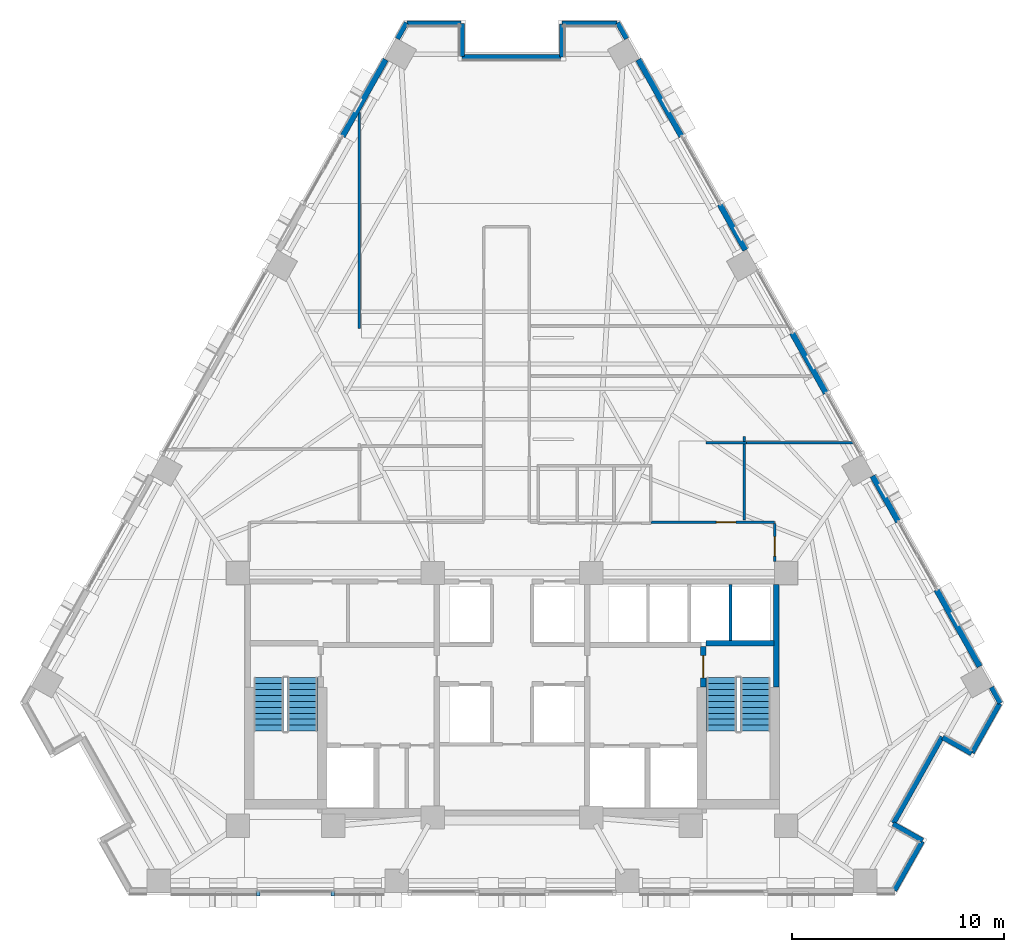
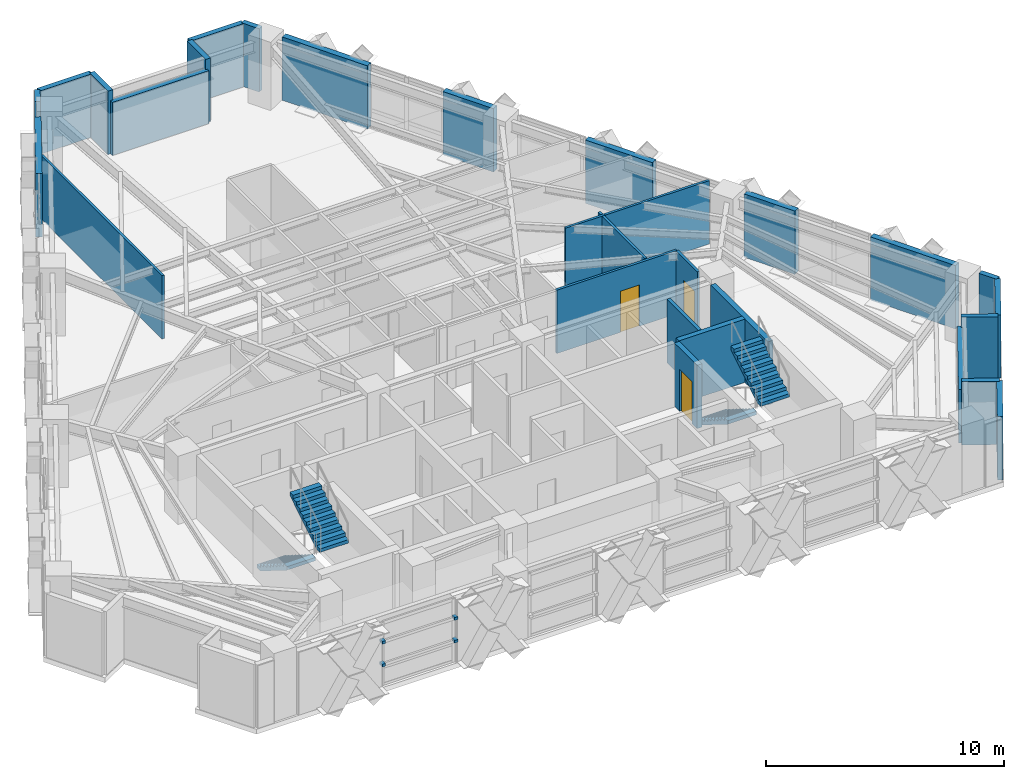
# One storey, part 9 of 14: 30 walls, 4 discrete accessories, 4 stair flights, 3 doors, 3 openings, 2 elements without a shape of their own.
"""IFC4 building model written with IfcOpenShell, lengths in metres."""

from ifc_helpers import new_model, si_unit, direction, frame, frame_2d, origin, origin_2d, place, context, subcontext, project, spatial, polyline, rectangle, outline, extrude, material, layer, layer_set, type_object, element, fill, aggregate, save


model = new_model("IFC4")

# Units and contexts
model_context = context("Model", 3, precision=1e-05, world=origin(), true_north=direction((0.0, 1.0)))
body_context = subcontext(model_context, "Body", "Model", "MODEL_VIEW")
ifc_project = project(units=[si_unit("LENGTHUNIT", "METRE"), si_unit("AREAUNIT", "SQUARE_METRE"), si_unit("VOLUMEUNIT", "CUBIC_METRE"), si_unit("PLANEANGLEUNIT", "RADIAN"), si_unit("MASSUNIT", "GRAM", prefix="KILO")], contexts=[model_context])

# Site, building, storey
site_placement = place(None, origin())
site = spatial("IfcSite", under=ifc_project, at=site_placement, CompositionType="ELEMENT")
building_placement = place(site_placement, origin())
building = spatial("IfcBuilding", under=site, at=building_placement, Name="Quenlor Broadcast Tower", CompositionType="ELEMENT")
storey_placement = place(building_placement, frame((0.0, 0.0, 102.0)))
storey = spatial("IfcBuildingStorey", under=building, at=storey_placement, Name="L27", CompositionType="ELEMENT", Elevation=102.0)

# Wall, opening, door
ifc_material_1 = material(Name="Concrete C40/50", Category="concrete")
ifc_layer_1 = layer(ifc_material_1, 0.25)
ifc_layer_set_1 = layer_set([ifc_layer_1], Name="Fire Rated Concrete C40/50 Core Wall 250")
wall_type_1 = type_object("IfcWallType", Name="Fire Rated Concrete C40/50 Core Wall 250", PredefinedType="PARTITIONING", material=ifc_layer_set_1)
wall_1_placement = place(storey_placement, frame((9.0400390625, -10.179931640625, 0.0), z_axis=(0.0, 0.0, 1.0), x_axis=(0.0, 1.0, 0.0)))
wall_1 = element("IfcWall", 1, at=wall_1_placement, inside=storey, type_object=wall_type_1, Name="L27 Interior Wall CW-ST2-DR", PredefinedType="PARTITIONING", context=body_context, shape_type="SweptSolid", body=[
    extrude(rectangle(XDim=1.89990234375, YDim=0.25, at=frame_2d((0.949951171875, 0.0))), origin(), (0.0, 0.0, 1.0), 3.25),
])
opening_1_placement = place(wall_1_placement, frame((0.419921875, 0.0, 0.0)))
opening_1 = element("IfcOpeningElement", 2, at=opening_1_placement, cuts=wall_1, Name="Opening FD-1", PredefinedType="OPENING", context=body_context, shape_type="SweptSolid", body=[
    extrude(rectangle(XDim=1.050048828125, YDim=2.14990234375, at=frame_2d((0.52490234375, 1.074951171875))), frame((0.0, 0.135009765625, 0.0), z_axis=(0.0, -1.0, 0.0), x_axis=(1.0, 0.0, 0.0)), (0.0, 0.0, 1.0), 0.27001953125),
])
ifc_material_2 = material(Name="Fire Rated Steel Door Leaf", Category="steel")
door_type_1 = type_object("IfcDoorType", Name="Fire Isolated Stair Door 1050x2150", OperationType="NOTDEFINED", PredefinedType="DOOR", material=ifc_material_2)
door_1_placement = place(opening_1_placement, origin())
door_1 = element("IfcDoor", 3, at=door_1_placement, inside=storey, type_object=door_type_1, Name="L27 Door DR-ST2", OperationType="SINGLE_SWING_RIGHT", OverallHeight=2.14990234375, OverallWidth=1.050048828125, PredefinedType="DOOR", context=body_context, shape_type="SweptSolid", body=[
    extrude(rectangle(XDim=1.050048828125, YDim=2.14990234375, at=frame_2d((0.52490234375, 1.074951171875))), frame((0.0, 0.02490234375, 0.0), z_axis=(0.0, -1.0, 0.0), x_axis=(1.0, 0.0, 0.0)), (0.0, 0.0, 1.0), 0.050048828125),
])
fill(opening_1, door_1)

# Walls
wall_2_placement = place(storey_placement, frame((9.159912109375, -8.1201171875, 0.0), z_axis=(0.0, 0.0, 1.0), x_axis=(1.0, 0.0, 0.0)))
element("IfcWall", 4, at=wall_2_placement, inside=storey, type_object=wall_type_1, Name="L27 Interior Wall CW-ST2-N", PredefinedType="PARTITIONING", context=body_context, shape_type="SweptSolid", body=[
    extrude(rectangle(XDim=3.219970703125, YDim=0.25, at=frame_2d((1.60986328125, 0.0))), origin(), (0.0, 0.0, 1.0), 3.25),
])
wall_3_placement = place(storey_placement, frame((12.47998046875, -10.179931640625, 0.0), z_axis=(0.0, 0.0, 1.0), x_axis=(0.0, 1.0, 0.0)))
element("IfcWall", 5, at=wall_3_placement, inside=storey, type_object=wall_type_1, Name="L27 Interior Wall CW-ST2-E2", PredefinedType="PARTITIONING", context=body_context, shape_type="SweptSolid", body=[
    extrude(rectangle(XDim=4.827880859375, YDim=0.25, at=frame_2d((2.4140625, 0.0))), origin(), (0.0, 0.0, 1.0), 3.25),
])
ifc_material_3 = material(Name="Gypsum Fireboard Partition", Category="other")
ifc_layer_2 = layer(ifc_material_3, 0.159912109375)
ifc_layer_set_2 = layer_set([ifc_layer_2], Name="Fire Rated Shaft and Corridor Partition 160")
wall_type_2 = type_object("IfcWallType", Name="Fire Rated Shaft and Corridor Partition 160", PredefinedType="PARTITIONING", material=ifc_layer_set_2)
wall_4_placement = place(storey_placement, frame((10.324951171875, -7.992919921875, 0.0), z_axis=(0.0, 0.0, 1.0), x_axis=(0.0, 1.0, 0.0)))
element("IfcWall", 6, at=wall_4_placement, inside=storey, type_object=wall_type_2, Name="L27 Interior Wall CW-PLH-D3", PredefinedType="PARTITIONING", context=body_context, shape_type="SweptSolid", body=[
    extrude(rectangle(XDim=2.65283203125, YDim=0.159912109375, at=frame_2d((1.326416015625, 0.0))), origin(), (0.0, 0.0, 1.0), 3.25),
])

# Wall, opening, door
ifc_material_4 = material(Name="Gypsum Plasterboard Partition", Category="other")
ifc_layer_3 = layer(ifc_material_4, 0.1201171875)
ifc_layer_set_3 = layer_set([ifc_layer_3], Name="Standard Office Partition 120")
wall_type_3 = type_object("IfcWallType", Name="Standard Office Partition 120", PredefinedType="PARTITIONING", material=ifc_layer_set_3)
wall_5_placement = place(storey_placement, frame((6.56201171875, -2.39990234375, 0.0), z_axis=(0.0, 0.0, 1.0), x_axis=(1.0, 0.0, 0.0)))
wall_5 = element("IfcWall", 7, at=wall_5_placement, inside=storey, type_object=wall_type_3, Name="L27 Interior Wall PW-CR-06S2", PredefinedType="PARTITIONING", context=body_context, shape_type="SweptSolid", body=[
    extrude(rectangle(XDim=5.847900390625, YDim=0.1201171875, at=frame_2d((2.923828125, 0.0))), origin(), (0.0, 0.0, 1.0), 3.25),
])
opening_2_placement = place(wall_5_placement, frame((3.10009765625, 0.0, 0.0)))
opening_2 = element("IfcOpeningElement", 8, at=opening_2_placement, cuts=wall_5, Name="Opening ID-1", PredefinedType="OPENING", context=body_context, shape_type="SweptSolid", body=[
    extrude(rectangle(XDim=0.919921875, YDim=2.1201171875, at=frame_2d((0.4599609375, 1.06005859375))), frame((0.0, 0.070068359375, 0.0), z_axis=(0.0, -1.0, 0.0), x_axis=(1.0, 0.0, 0.0)), (0.0, 0.0, 1.0), 0.14013671875),
])
ifc_material_5 = material(Name="Solid Core Timber Oak", Category="wood")
door_type_2 = type_object("IfcDoorType", Name="Single Leaf Timber Office Door 920x2120", OperationType="NOTDEFINED", PredefinedType="DOOR", material=ifc_material_5)
door_2_placement = place(opening_2_placement, origin())
door_2 = element("IfcDoor", 9, at=door_2_placement, inside=storey, type_object=door_type_2, Name="L27 Door DR-RM05", OperationType="SINGLE_SWING_LEFT", OverallHeight=2.1201171875, OverallWidth=0.919921875, PredefinedType="DOOR", context=body_context, shape_type="SweptSolid", body=[
    extrude(rectangle(XDim=0.919921875, YDim=2.1201171875, at=frame_2d((0.4599609375, 1.06005859375))), frame((0.0, 0.02490234375, 0.0), z_axis=(0.0, -1.0, 0.0), x_axis=(1.0, 0.0, 0.0)), (0.0, 0.0, 1.0), 0.050048828125),
])
fill(opening_2, door_2)

wall_6_placement = place(storey_placement, frame((12.409912109375, -2.4619140625, 0.0), z_axis=(0.0, 0.0, 1.0), x_axis=(0.0, -1.0, 0.0)))
wall_6 = element("IfcWall", 10, at=wall_6_placement, inside=storey, type_object=wall_type_3, Name="L27 Interior Wall PW-CR-07", PredefinedType="PARTITIONING", context=body_context, shape_type="SweptSolid", body=[
    extrude(rectangle(XDim=1.7861328125, YDim=0.1201171875, at=frame_2d((0.89306640625, 0.0))), origin(), (0.0, 0.0, 1.0), 3.25),
])
opening_3_placement = place(wall_6_placement, frame((0.623046875, 0.0, 0.0)))
opening_3 = element("IfcOpeningElement", 11, at=opening_3_placement, cuts=wall_6, Name="Opening ID-1", PredefinedType="OPENING", context=body_context, shape_type="SweptSolid", body=[
    extrude(rectangle(XDim=0.919921875, YDim=2.1201171875, at=frame_2d((0.4599609375, 1.06005859375))), frame((0.0, 0.070068359375, 0.0), z_axis=(0.0, -1.0, 0.0), x_axis=(1.0, 0.0, 0.0)), (0.0, 0.0, 1.0), 0.14013671875),
])
door_3_placement = place(opening_3_placement, origin())
door_3 = element("IfcDoor", 12, at=door_3_placement, inside=storey, type_object=door_type_2, Name="L27 Door DR-RM07", OperationType="SINGLE_SWING_LEFT", OverallHeight=2.1201171875, OverallWidth=0.919921875, PredefinedType="DOOR", context=body_context, shape_type="SweptSolid", body=[
    extrude(rectangle(XDim=0.919921875, YDim=2.1201171875, at=frame_2d((0.4599609375, 1.06005859375))), frame((0.0, 0.02490234375, 0.0), z_axis=(0.0, -1.0, 0.0), x_axis=(1.0, 0.0, 0.0)), (0.0, 0.0, 1.0), 0.050048828125),
])
fill(opening_3, door_3)

# Walls
wall_7_placement = place(storey_placement, frame((-7.219970703125, 6.75634765625, 0.0), z_axis=(0.0, 0.0, 1.0), x_axis=(0.00043083842, 0.999999907189, 0.0)))
element("IfcWall", 13, at=wall_7_placement, inside=storey, type_object=wall_type_3, Name="L27 Interior Wall PW-DV-01", PredefinedType="PARTITIONING", context=body_context, shape_type="SweptSolid", body=[
    extrude(rectangle(XDim=10.199951171875, YDim=0.1201171875, at=frame_2d((5.10009765625, 0.0))), origin(), (0.0, 0.0, 1.0), 3.25),
])
wall_8_placement = place(storey_placement, frame((11.08251953125, 1.35009765625, 0.0), z_axis=(0.0, 0.0, 1.0), x_axis=(-1.0, 0.0, 0.0)))
element("IfcWall", 14, at=wall_8_placement, inside=storey, type_object=wall_type_3, Name="L27 Interior Wall PW-DV-06", PredefinedType="PARTITIONING", context=body_context, shape_type="SweptSolid", body=[
    extrude(rectangle(XDim=1.92041015625, YDim=0.1201171875, at=frame_2d((0.960205078125, 0.0))), origin(), (0.0, 0.0, 1.0), 3.25),
])
wall_9_placement = place(storey_placement, frame((16.1455078125, 1.35009765625, 0.0), z_axis=(0.0, 0.0, 1.0), x_axis=(-1.0, 0.0, 0.0)))
element("IfcWall", 15, at=wall_9_placement, inside=storey, type_object=wall_type_3, Name="L27 Interior Wall PW-DV-07", PredefinedType="PARTITIONING", context=body_context, shape_type="SweptSolid", body=[
    extrude(rectangle(XDim=5.06103515625, YDim=0.1201171875, at=frame_2d((2.530517578125, 0.0))), origin(), (0.0, 0.0, 1.0), 3.25),
])
wall_10_placement = place(storey_placement, frame((10.982421875, 1.639892578125, 0.0), z_axis=(0.0, 0.0, 1.0), x_axis=(0.0, -1.0, 0.0)))
element("IfcWall", 16, at=wall_10_placement, inside=storey, type_object=wall_type_3, Name="L27 Interior Wall PW-DV-08", PredefinedType="PARTITIONING", context=body_context, shape_type="SweptSolid", body=[
    extrude(rectangle(XDim=0.227783203125, YDim=0.1201171875, at=frame_2d((0.11376953125, 0.0))), origin(), (0.0, 0.0, 1.0), 3.25),
])
wall_11_placement = place(storey_placement, frame((10.982421875, 1.2880859375, 0.0), z_axis=(0.0, 0.0, 1.0), x_axis=(0.0, -1.0, 0.0)))
element("IfcWall", 17, at=wall_11_placement, inside=storey, type_object=wall_type_3, Name="L27 Interior Wall PW-DV-08S2", PredefinedType="PARTITIONING", context=body_context, shape_type="SweptSolid", body=[
    extrude(rectangle(XDim=3.578125, YDim=0.1201171875, at=frame_2d((1.7890625, 0.0))), origin(), (0.0, 0.0, 1.0), 3.25),
])
ifc_material_6 = material(Name="Precast concrete C40/50", Category="concrete")
ifc_layer_4 = layer(ifc_material_6, 0.239990234375)
ifc_layer_set_4 = layer_set([ifc_layer_4], Name="Terrace Threshold Precast Concrete C40/50 Wall 240")
wall_type_4 = type_object("IfcWallType", Name="Terrace Threshold Precast Concrete C40/50 Wall 240", PredefinedType="STANDARD", material=ifc_layer_set_4)
for number, where, z_axis, x_axis, name in (
    (18, (4.992919921875, 21.197265625, 0.0), (0.0, 0.0, 1.0), (0.490355003566, -0.871522788272, 0.0), "L27 Exterior Wall L27-SHD-NES0"),
    (19, (22.65380859375, -10.199951171875, 0.0), (0.0, 0.0, 1.0), (0.490355003566, -0.871522788272, 0.0), "L27 Exterior Wall L27-SHD-NES1"),
    (20, (-5.417236328125, 20.443115234375, 0.0), (0.0, 0.0, 1.0), (0.490355003566, 0.871522788272, 0.0), "L27 Exterior Wall L27-SHD-NWS1"),
):
    element("IfcWall", number, at=place(storey_placement, frame(where, z_axis=z_axis, x_axis=x_axis)), inside=storey, type_object=wall_type_4, Name=name, PredefinedType="STANDARD", context=body_context, shape_type="SweptSolid", body=[
        extrude(rectangle(XDim=0.865234375, YDim=0.239990234375, at=frame_2d((0.4326171875, 0.0))), origin(), (0.0, 0.0, 1.0), 3.25),
    ])
wall_12_placement = place(storey_placement, frame((19.39892578125, -17.4423828125, 0.0), z_axis=(0.0, 0.0, 1.0), x_axis=(-0.871575537125, 0.490261239633, 0.0)))
element("IfcWall", 21, at=wall_12_placement, inside=storey, type_object=wall_type_4, Name="L27 Exterior Wall L27-CNR-01", PredefinedType="STANDARD", context=body_context, shape_type="SweptSolid", body=[
    extrude(rectangle(XDim=1.60009765625, YDim=0.239990234375, at=frame_2d((0.800048828125, 0.0))), origin(), (0.0, 0.0, 1.0), 3.25),
])
wall_13_placement = place(storey_placement, frame((18.024169921875, -16.623046875, 0.0), z_axis=(0.0, 0.0, 1.0), x_axis=(0.490273623647, 0.871568571001, 0.0)))
element("IfcWall", 22, at=wall_13_placement, inside=storey, type_object=wall_type_4, Name="L27 Exterior Wall L27-CNR-02", PredefinedType="STANDARD", context=body_context, shape_type="SweptSolid", body=[
    extrude(rectangle(XDim=4.679931640625, YDim=0.239990234375, at=frame_2d((2.33984375, 0.0))), origin(), (0.0, 0.0, 1.0), 2.7216796875),
])
wall_14_placement = place(storey_placement, frame((20.353515625, -12.563720703125, 0.0), z_axis=(0.0, 0.0, 1.0), x_axis=(0.871546278971, -0.490313250496, 0.0)))
element("IfcWall", 23, at=wall_14_placement, inside=storey, type_object=wall_type_4, Name="L27 Exterior Wall L27-CNR-03", PredefinedType="STANDARD", context=body_context, shape_type="SweptSolid", body=[
    extrude(rectangle(XDim=1.56005859375, YDim=0.239990234375, at=frame_2d((0.780029296875, 0.0))), origin(), (0.0, 0.0, 1.0), 3.25),
])
wall_15_placement = place(storey_placement, frame((21.732666015625, -13.293701171875, 0.0), z_axis=(0.0, 0.0, 1.0), x_axis=(0.490265590412, 0.871573089797, 0.0)))
element("IfcWall", 24, at=wall_15_placement, inside=storey, type_object=wall_type_4, Name="L27 Exterior Wall L27-CNR-04", PredefinedType="STANDARD", context=body_context, shape_type="SweptSolid", body=[
    extrude(rectangle(XDim=2.6640625, YDim=0.239990234375, at=frame_2d((1.33203125, 0.0))), origin(), (0.0, 0.0, 1.0), 3.25),
])
wall_16_placement = place(storey_placement, frame((4.95947265625, 21.16796875, 0.0), z_axis=(0.0, 0.0, 1.0), x_axis=(-1.0, 0.0, 0.0)))
element("IfcWall", 25, at=wall_16_placement, inside=storey, type_object=wall_type_4, Name="L27 Exterior Wall L27-CNR-06", PredefinedType="STANDARD", context=body_context, shape_type="SweptSolid", body=[
    extrude(rectangle(XDim=2.599365234375, YDim=0.239990234375, at=frame_2d((1.2998046875, 0.0))), origin(), (0.0, 0.0, 1.0), 3.25),
])
wall_17_placement = place(storey_placement, frame((2.360107421875, 21.1279296875, 0.0), z_axis=(0.0, 0.0, 1.0), x_axis=(0.0, -1.0, 0.0)))
element("IfcWall", 26, at=wall_17_placement, inside=storey, type_object=wall_type_4, Name="L27 Exterior Wall L27-CNR-07", PredefinedType="STANDARD", context=body_context, shape_type="SweptSolid", body=[
    extrude(rectangle(XDim=1.559814453125, YDim=0.239990234375, at=frame_2d((0.77978515625, 0.0))), origin(), (0.0, 0.0, 1.0), 3.25),
])
wall_18_placement = place(storey_placement, frame((2.320068359375, 19.568115234375, 0.0), z_axis=(0.0, 0.0, 1.0), x_axis=(-1.0, 0.0, 0.0)))
element("IfcWall", 27, at=wall_18_placement, inside=storey, type_object=wall_type_4, Name="L27 Exterior Wall L27-CNR-08", PredefinedType="STANDARD", context=body_context, shape_type="SweptSolid", body=[
    extrude(rectangle(XDim=4.68017578125, YDim=0.239990234375, at=frame_2d((2.340087890625, 0.0))), origin(), (0.0, 0.0, 1.0), 2.7216796875),
])
wall_19_placement = place(storey_placement, frame((-2.360107421875, 19.60791015625, 0.0), z_axis=(0.0, 0.0, 1.0), x_axis=(0.0, 1.0, 0.0)))
element("IfcWall", 28, at=wall_19_placement, inside=storey, type_object=wall_type_4, Name="L27 Exterior Wall L27-CNR-09", PredefinedType="STANDARD", context=body_context, shape_type="SweptSolid", body=[
    extrude(rectangle(XDim=1.56005859375, YDim=0.239990234375, at=frame_2d((0.780029296875, 0.0))), origin(), (0.0, 0.0, 1.0), 3.25),
])
wall_20_placement = place(storey_placement, frame((-2.39990234375, 21.16796875, 0.0), z_axis=(0.0, 0.0, 1.0), x_axis=(-1.0, 0.0, 0.0)))
element("IfcWall", 29, at=wall_20_placement, inside=storey, type_object=wall_type_4, Name="L27 Exterior Wall L27-CNR-10", PredefinedType="STANDARD", context=body_context, shape_type="SweptSolid", body=[
    extrude(rectangle(XDim=2.5595703125, YDim=0.239990234375, at=frame_2d((1.27978515625, 0.0))), origin(), (0.0, 0.0, 1.0), 3.25),
])
wall_21_placement = place(storey_placement, frame((18.074951171875, -19.79638671875, 0.0), z_axis=(0.0, 0.0, 1.0), x_axis=(0.490248170584, 0.871582888335, 0.0)))
element("IfcWall", 30, at=wall_21_placement, inside=storey, type_object=wall_type_4, Name="L27 Exterior Wall L27-CNR-18", PredefinedType="STANDARD", context=body_context, shape_type="SweptSolid", body=[
    extrude(rectangle(XDim=2.660888671875, YDim=0.239990234375, at=frame_2d((1.33056640625, 0.0))), origin(), (0.0, 0.0, 1.0), 3.25),
])
ifc_material_7 = material(Name="Precast concrete C40/50", Category="concrete")
ifc_layer_5 = layer(ifc_material_7, 0.280029296875)
ifc_layer_set_5 = layer_set([ifc_layer_5], Name="Terracotta Precast Concrete C40/50 Facade Wall 280")
wall_type_5 = type_object("IfcWallType", Name="Terracotta Precast Concrete C40/50 Facade Wall 280", PredefinedType="STANDARD", material=ifc_layer_set_5)
wall_22_placement = place(storey_placement, frame((5.97119140625, 19.458251953125, 0.0), z_axis=(0.0, 0.0, 1.0), x_axis=(0.490280725514, -0.87156457603, 0.0)))
element("IfcWall", 31, at=wall_22_placement, inside=storey, type_object=wall_type_5, Name="L27 Exterior Wall L27-NEA-SP1", PredefinedType="STANDARD", context=body_context, shape_type="SweptSolid", body=[
    extrude(rectangle(XDim=4.1640625, YDim=0.280029296875, at=frame_2d((2.08203125, 0.0))), origin(), (0.0, 0.0, 1.0), 3.25),
])
for number, where, z_axis, x_axis, name in (
    (32, (9.819091796875, 12.6171875, 0.0), (0.0, 0.0, 1.0), (0.490303410255, -0.871551814807, 0.0), "L27 Exterior Wall L27-NEA-SP2"),
    (33, (17.0390625, -0.218017578125, 0.0), (0.0, 0.0, 1.0), (0.490186269625, -0.871617703509, 0.0), "L27 Exterior Wall L27-NEC-SP1"),
):
    element("IfcWall", number, at=place(storey_placement, frame(where, z_axis=z_axis, x_axis=x_axis)), inside=storey, type_object=wall_type_5, Name=name, PredefinedType="STANDARD", context=body_context, shape_type="SweptSolid", body=[
        extrude(rectangle(XDim=2.473876953125, YDim=0.280029296875, at=frame_2d((1.23681640625, 0.0))), origin(), (0.0, 0.0, 1.0), 3.25),
    ])
wall_23_placement = place(storey_placement, frame((20.058349609375, -5.585693359375, 0.0), z_axis=(0.0, 0.0, 1.0), x_axis=(0.490255672477, -0.871578668626, 0.0)))
element("IfcWall", 34, at=wall_23_placement, inside=storey, type_object=wall_type_5, Name="L27 Exterior Wall L27-NEC-SP2", PredefinedType="STANDARD", context=body_context, shape_type="SweptSolid", body=[
    extrude(rectangle(XDim=4.1640625, YDim=0.280029296875, at=frame_2d((2.08203125, 0.0))), origin(), (0.0, 0.0, 1.0), 3.25),
])
wall_24_placement = place(storey_placement, frame((13.232177734375, 6.549560546875, 0.0), z_axis=(0.0, 0.0, 1.0), x_axis=(0.490310760781, -0.871547679626, 0.0)))
element("IfcWall", 35, at=wall_24_placement, inside=storey, type_object=wall_type_5, Name="L27 Exterior Wall L27-NE-SP1", PredefinedType="STANDARD", context=body_context, shape_type="SweptSolid", body=[
    extrude(rectangle(XDim=3.27685546875, YDim=0.280029296875, at=frame_2d((1.638427734375, 0.0))), origin(), (0.0, 0.0, 1.0), 3.25),
])
wall_25_placement = place(storey_placement, frame((-8.0126953125, 15.8291015625, 0.0), z_axis=(0.0, 0.0, 1.0), x_axis=(0.490280725514, 0.87156457603, 0.0)))
element("IfcWall", 36, at=wall_25_placement, inside=storey, type_object=wall_type_5, Name="L27 Exterior Wall L27-NWC-SP2", PredefinedType="STANDARD", context=body_context, shape_type="SweptSolid", body=[
    extrude(rectangle(XDim=4.1640625, YDim=0.280029296875, at=frame_2d((2.08203125, 0.0))), origin(), (0.0, 0.0, 1.0), 3.25),
])

# Stair, stair flights
ifc_material_8 = material(Name="Precast concrete C40/50", Category="concrete")
stair_type = type_object("IfcStairType", Name="Precast Concrete C40/50 Dogleg Stair H350", PredefinedType="HALF_TURN_STAIR", material=ifc_material_8)
stair_1_placement = place(storey_placement, origin())
stair_1 = element("IfcStair", 37, at=stair_1_placement, inside=storey, type_object=stair_type, Name="L27 West Core Fire-Isolated Exit Stair ST-1", PredefinedType="HALF_TURN_STAIR")
ifc_material_9 = material(Name="Precast concrete C40/50", Category="concrete")
ifc_layer_6 = layer(ifc_material_9, 0.159912109375)
ifc_layer_set_6 = layer_set([ifc_layer_6], Name="Precast Concrete C40/50 Stair Flight H350")
stair_flight_type = type_object("IfcStairFlightType", Name="Precast Concrete C40/50 Stair Flight H350", PredefinedType="STRAIGHT", material=ifc_layer_set_6)
stair_flight_1_placement = place(storey_placement, frame((-11.5, -9.75, 0.0), z_axis=(0.0, 0.0, 1.0), x_axis=(0.0, -1.0, 0.0)))
stair_flight_1 = element("IfcStairFlight", 38, at=stair_flight_1_placement, type_object=stair_flight_type, Name="ST-1 flight 1", NumberOfRisers=10, NumberOfTreads=9, PredefinedType="STRAIGHT", RiserHeight=0.175, TreadLength=0.28, context=body_context, shape_type="SweptSolid", body=[
    extrude(outline(polyline([(0.0, 0.0), (0.0, 0.175048828125), (0.280029296875, 0.175048828125), (0.280029296875, 0.35009765625), (0.56005859375, 0.35009765625), (0.56005859375, 0.52490234375), (0.840087890625, 0.52490234375), (0.840087890625, 0.699951171875), (1.1201171875, 0.699951171875), (1.1201171875, 0.875), (1.39990234375, 0.875), (1.39990234375, 1.050048828125), (1.679931640625, 1.050048828125), (1.679931640625, 1.22509765625), (1.9599609375, 1.22509765625), (1.9599609375, 1.39990234375), (2.239990234375, 1.39990234375), (2.239990234375, 1.574951171875), (2.52001953125, 1.574951171875), (2.52001953125, 1.75), (2.52001953125, 1.398193359375), (0.28271484375, 0.0), (0.0, 0.0)])), frame((0.0, 0.699951171875, 0.0), z_axis=(0.0, -1.0, 0.0), x_axis=(1.0, 0.0, 0.0)), (0.0, 0.0, 1.0), 1.39990234375),
])
stair_flight_2_placement = place(storey_placement, frame((-9.89990234375, -12.27001953125, 1.75), z_axis=(0.0, 0.0, 1.0), x_axis=(0.0, 1.0, 0.0)))
stair_flight_2 = element("IfcStairFlight", 39, at=stair_flight_2_placement, type_object=stair_flight_type, Name="ST-1 flight 2", NumberOfRisers=10, NumberOfTreads=9, PredefinedType="STRAIGHT", RiserHeight=0.175, TreadLength=0.28, context=body_context, shape_type="SweptSolid", body=[
    extrude(outline(polyline([(0.0, 0.0), (0.0, 0.175048828125), (0.280029296875, 0.175048828125), (0.280029296875, 0.35009765625), (0.56005859375, 0.35009765625), (0.56005859375, 0.52490234375), (0.840087890625, 0.52490234375), (0.840087890625, 0.699951171875), (1.1201171875, 0.699951171875), (1.1201171875, 0.875), (1.39990234375, 0.875), (1.39990234375, 1.050048828125), (1.679931640625, 1.050048828125), (1.679931640625, 1.22509765625), (1.9599609375, 1.22509765625), (1.9599609375, 1.39990234375), (2.239990234375, 1.39990234375), (2.239990234375, 1.574951171875), (2.52001953125, 1.574951171875), (2.52001953125, 1.75), (2.52001953125, 1.398193359375), (0.28271484375, 0.0), (0.0, 0.0)])), frame((0.0, 0.699951171875, 0.0), z_axis=(0.0, -1.0, 0.0), x_axis=(1.0, 0.0, 0.0)), (0.0, 0.0, 1.0), 1.39990234375),
])
aggregate(stair_1, [stair_flight_1, stair_flight_2])

stair_2_placement = place(storey_placement, origin())
stair_2 = element("IfcStair", 40, at=stair_2_placement, inside=storey, type_object=stair_type, Name="L27 East Core Fire-Isolated Exit Stair ST-2", PredefinedType="HALF_TURN_STAIR")
stair_flight_3_placement = place(storey_placement, frame((9.89990234375, -9.75, 0.0), z_axis=(0.0, 0.0, 1.0), x_axis=(0.0, -1.0, 0.0)))
stair_flight_3 = element("IfcStairFlight", 41, at=stair_flight_3_placement, type_object=stair_flight_type, Name="ST-2 flight 1", NumberOfRisers=10, NumberOfTreads=9, PredefinedType="STRAIGHT", RiserHeight=0.175, TreadLength=0.28, context=body_context, shape_type="SweptSolid", body=[
    extrude(outline(polyline([(0.0, 0.0), (0.0, 0.175048828125), (0.280029296875, 0.175048828125), (0.280029296875, 0.35009765625), (0.56005859375, 0.35009765625), (0.56005859375, 0.52490234375), (0.840087890625, 0.52490234375), (0.840087890625, 0.699951171875), (1.1201171875, 0.699951171875), (1.1201171875, 0.875), (1.39990234375, 0.875), (1.39990234375, 1.050048828125), (1.679931640625, 1.050048828125), (1.679931640625, 1.22509765625), (1.9599609375, 1.22509765625), (1.9599609375, 1.39990234375), (2.239990234375, 1.39990234375), (2.239990234375, 1.574951171875), (2.52001953125, 1.574951171875), (2.52001953125, 1.75), (2.52001953125, 1.398193359375), (0.28271484375, 0.0), (0.0, 0.0)])), frame((0.0, 0.699951171875, 0.0), z_axis=(0.0, -1.0, 0.0), x_axis=(1.0, 0.0, 0.0)), (0.0, 0.0, 1.0), 1.39990234375),
])
stair_flight_4_placement = place(storey_placement, frame((11.5, -12.27001953125, 1.75), z_axis=(0.0, 0.0, 1.0), x_axis=(0.0, 1.0, 0.0)))
stair_flight_4 = element("IfcStairFlight", 42, at=stair_flight_4_placement, type_object=stair_flight_type, Name="ST-2 flight 2", NumberOfRisers=10, NumberOfTreads=9, PredefinedType="STRAIGHT", RiserHeight=0.175, TreadLength=0.28, context=body_context, shape_type="SweptSolid", body=[
    extrude(outline(polyline([(0.0, 0.0), (0.0, 0.175048828125), (0.280029296875, 0.175048828125), (0.280029296875, 0.35009765625), (0.56005859375, 0.35009765625), (0.56005859375, 0.52490234375), (0.840087890625, 0.52490234375), (0.840087890625, 0.699951171875), (1.1201171875, 0.699951171875), (1.1201171875, 0.875), (1.39990234375, 0.875), (1.39990234375, 1.050048828125), (1.679931640625, 1.050048828125), (1.679931640625, 1.22509765625), (1.9599609375, 1.22509765625), (1.9599609375, 1.39990234375), (2.239990234375, 1.39990234375), (2.239990234375, 1.574951171875), (2.52001953125, 1.574951171875), (2.52001953125, 1.75), (2.52001953125, 1.398193359375), (0.28271484375, 0.0), (0.0, 0.0)])), frame((0.0, 0.699951171875, 0.0), z_axis=(0.0, -1.0, 0.0), x_axis=(1.0, 0.0, 0.0)), (0.0, 0.0, 1.0), 1.39990234375),
])
aggregate(stair_2, [stair_flight_3, stair_flight_4])

# Discrete accessories
ifc_material_10 = material(Name="Aluminium 6063-T6", Category="aluminium")
discrete_accessory_type = type_object("IfcDiscreteAccessoryType", Name="Stainless Mullion Baguette Support Bracket", PredefinedType="BRACKET", material=ifc_material_10)
for number, where, z_axis, x_axis, name in (
    (43, (-8.47119140625, -19.93994140625, 1.10009765625), (0.0, 0.0, 1.0), (-1.0, 0.0, 0.0), "L27 Baguette Mullion Bracket 1.1"),
    (44, (-11.981689453125, -19.93994140625, 1.10009765625), (0.0, 0.0, 1.0), (-1.0, 0.0, 0.0), "L27 Baguette Mullion Bracket 1.2"),
    (45, (-8.47119140625, -19.93994140625, 2.27001953125), (0.0, 0.0, 1.0), (-1.0, 0.0, 0.0), "L27 Baguette Mullion Bracket 2.1"),
    (46, (-11.981689453125, -19.93994140625, 2.27001953125), (0.0, 0.0, 1.0), (-1.0, 0.0, 0.0), "L27 Baguette Mullion Bracket 2.2"),
):
    element("IfcDiscreteAccessory", number, at=place(storey_placement, frame(where, z_axis=z_axis, x_axis=x_axis)), inside=storey, type_object=discrete_accessory_type, Name=name, PredefinedType="BRACKET", context=body_context, shape_type="SweptSolid", body=[
        extrude(rectangle(XDim=0.159912109375, YDim=0.239990234375, at=origin_2d()), origin(), (0.0, 0.0, 1.0), 0.139892578125),
    ])

save(model, "model.ifc")
